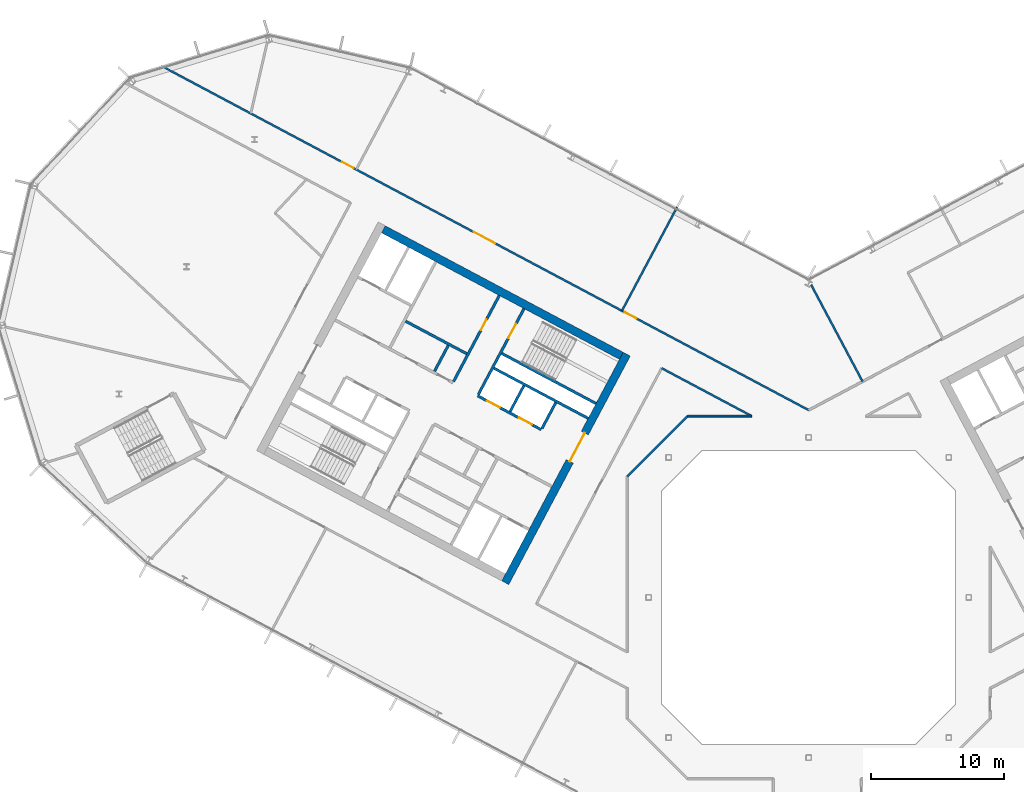
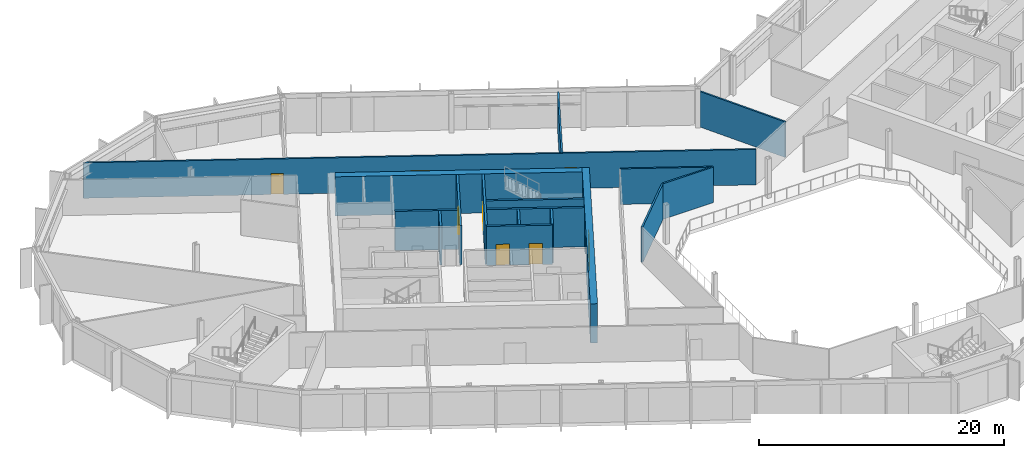
# One storey, part 14 of 26: 17 walls, 8 doors, 8 openings.
"""IFC4 building model written with IfcOpenShell, lengths in metres."""

from ifc_helpers import new_model, si_unit, direction, frame, frame_2d, origin, place, context, subcontext, project, spatial, rectangle, extrude, material, layer, layer_set, type_object, element, fill, save


model = new_model("IFC4")

# Units and contexts
model_context = context("Model", 3, precision=1e-05, world=origin(), true_north=direction((0.0, 1.0)))
body_context = subcontext(model_context, "Body", "Model", "MODEL_VIEW")
ifc_project = project(units=[si_unit("LENGTHUNIT", "METRE"), si_unit("AREAUNIT", "SQUARE_METRE"), si_unit("VOLUMEUNIT", "CUBIC_METRE"), si_unit("PLANEANGLEUNIT", "RADIAN"), si_unit("MASSUNIT", "GRAM", prefix="KILO")], contexts=[model_context])

# Site, building, storey
site_placement = place(None, origin())
site = spatial("IfcSite", under=ifc_project, at=site_placement, CompositionType="ELEMENT")
building_placement = place(site_placement, origin())
building = spatial("IfcBuilding", under=site, at=building_placement, Name="Cormorant Relay Tower", CompositionType="ELEMENT")
storey_placement = place(building_placement, frame((0.0, 0.0, 236.39990234375)))
storey = spatial("IfcBuildingStorey", under=building, at=storey_placement, Name="L52", CompositionType="ELEMENT", Elevation=236.39990234375)

# Walls
ifc_material_1 = material(Name="Concrete 40 MPa", Category="concrete")
ifc_layer_1 = layer(ifc_material_1, 0.199951171875)
ifc_layer_set_1 = layer_set([ifc_layer_1], Name="Core internal wall 200")
wall_type_1 = type_object("IfcWallType", Name="Core internal wall 200", PredefinedType="SOLIDWALL", material=ifc_layer_set_1)
for number, where, z_axis, x_axis, name in (
    (1, (-21.34375, 15.87890625, 0.0), (0.0, 0.0, 1.0), (-0.4694473164, -0.882960484464, 0.0), "L52 core A shaft and room wall"),
    (2, (-27.01220703125, 18.892822265625, 0.0), (0.0, 0.0, 1.0), (-0.4694473164, -0.882960484464, 0.0), "L52 core A shaft and room wall"),
):
    element("IfcWall", number, at=place(storey_placement, frame(where, z_axis=z_axis, x_axis=x_axis)), inside=storey, type_object=wall_type_1, Name=name, PredefinedType="SOLIDWALL", context=body_context, shape_type="SweptSolid", body=[
        extrude(rectangle(XDim=2.199951171875, YDim=0.199951171875, at=frame_2d((1.10009765625, 0.0))), origin(), (0.0, 0.0, 1.0), 3.900146484375),
    ])
ifc_material_2 = material(Name="Concrete 50 MPa", Category="concrete")
ifc_layer_2 = layer(ifc_material_2, 0.199951171875)
ifc_layer_set_2 = layer_set([ifc_layer_2], Name="Core shaft wall 200")
wall_type_2 = type_object("IfcWallType", Name="Core shaft wall 200", PredefinedType="SHEAR", material=ifc_layer_set_2)
wall_1_placement = place(storey_placement, frame((-18.959716796875, 14.611328125, 0.0), z_axis=(0.0, 0.0, 1.0), x_axis=(-0.4694473164, -0.882960484464, 0.0)))
element("IfcWall", 3, at=wall_1_placement, inside=storey, type_object=wall_type_2, Name="L52 core A shaft wall", PredefinedType="SHEAR", context=body_context, shape_type="SweptSolid", body=[
    extrude(rectangle(XDim=2.199951171875, YDim=0.199951171875, at=frame_2d((1.10009765625, 0.0))), origin(), (0.0, 0.0, 1.0), 3.900146484375),
])

# Wall, opening, door
wall_2_placement = place(storey_placement, frame((-21.333251953125, 21.6494140625, 0.0), z_axis=(0.0, 0.0, 1.0), x_axis=(-0.469494272526, -0.882935517501, 0.0)))
wall_2 = element("IfcWall", 4, at=wall_2_placement, inside=storey, type_object=wall_type_2, Name="L52 core A shaft wall", PredefinedType="SHEAR", context=body_context, shape_type="SweptSolid", body=[
    extrude(rectangle(XDim=7.2998046875, YDim=0.199951171875, at=frame_2d((3.64990234375, 0.0))), origin(), (0.0, 0.0, 1.0), 3.900146484375),
])
opening_1_placement = place(wall_2_placement, frame((1.300048828125, 0.0, 0.0)))
opening_1 = element("IfcOpeningElement", 5, at=opening_1_placement, cuts=wall_2, Name="Opening CDB-038", PredefinedType="OPENING", context=body_context, shape_type="SweptSolid", body=[
    extrude(rectangle(XDim=1.199951171875, YDim=2.10009765625, at=frame_2d((0.60009765625, 1.050048828125))), frame((0.0, 0.10986328125, 0.0), z_axis=(0.0, -1.0, 0.0), x_axis=(1.0, 0.0, 0.0)), (0.0, 0.0, 1.0), 0.219970703125),
])
ifc_material_3 = material(Name="Steel fire door", Category="steel")
door_type_1 = type_object("IfcDoorType", Name="Core stair door 1200x2100", OperationType="SINGLE_SWING_LEFT", PredefinedType="DOOR", material=ifc_material_3)
door_1_placement = place(opening_1_placement, origin())
door_1 = element("IfcDoor", 6, at=door_1_placement, inside=storey, type_object=door_type_1, Name="Core stair door 1200x2100", OperationType="SINGLE_SWING_RIGHT", OverallHeight=2.10009765625, OverallWidth=1.199951171875, PredefinedType="DOOR", context=body_context, shape_type="SweptSolid", body=[
    extrude(rectangle(XDim=1.199951171875, YDim=2.10009765625, at=frame_2d((0.60009765625, 1.050048828125))), frame((0.0, 0.02490234375, 0.0), z_axis=(0.0, -1.0, 0.0), x_axis=(1.0, 0.0, 0.0)), (0.0, 0.0, 1.0), 0.050048828125),
])
fill(opening_1, door_1)

wall_3_placement = place(storey_placement, frame((-23.1875, 22.635498046875, 0.0), z_axis=(0.0, 0.0, 1.0), x_axis=(-0.469454336211, -0.882956752176, 0.0)))
wall_3 = element("IfcWall", 7, at=wall_3_placement, inside=storey, type_object=wall_type_2, Name="L52 core A shaft wall", PredefinedType="SHEAR", context=body_context, shape_type="SweptSolid", body=[
    extrude(rectangle(XDim=7.300048828125, YDim=0.199951171875, at=frame_2d((3.64990234375, 0.0))), origin(), (0.0, 0.0, 1.0), 3.900146484375),
])
opening_2_placement = place(wall_3_placement, frame((2.050048828125, 0.0, 0.0)))
opening_2 = element("IfcOpeningElement", 8, at=opening_2_placement, cuts=wall_3, Name="Opening CDD-292", PredefinedType="OPENING", context=body_context, shape_type="SweptSolid", body=[
    extrude(rectangle(XDim=0.89990234375, YDim=2.10009765625, at=frame_2d((0.449951171875, 1.050048828125))), frame((0.0, 0.10986328125, 0.0), z_axis=(0.0, -1.0, 0.0), x_axis=(1.0, 0.0, 0.0)), (0.0, 0.0, 1.0), 0.219970703125),
])
ifc_material_4 = material(Name="Steel fire door", Category="steel")
door_type_2 = type_object("IfcDoorType", Name="Core room door 900x2100", OperationType="SINGLE_SWING_LEFT", PredefinedType="DOOR", material=ifc_material_4)
door_2_placement = place(opening_2_placement, origin())
door_2 = element("IfcDoor", 9, at=door_2_placement, inside=storey, type_object=door_type_2, Name="Core room door 900x2100", OperationType="SINGLE_SWING_LEFT", OverallHeight=2.10009765625, OverallWidth=0.89990234375, PredefinedType="DOOR", context=body_context, shape_type="SweptSolid", body=[
    extrude(rectangle(XDim=0.89990234375, YDim=2.10009765625, at=frame_2d((0.449951171875, 1.050048828125))), frame((0.0, 0.02490234375, 0.0), z_axis=(0.0, -1.0, 0.0), x_axis=(1.0, 0.0, 0.0)), (0.0, 0.0, 1.0), 0.050048828125),
])
fill(opening_2, door_2)

# Walls
wall_4_placement = place(storey_placement, frame((-15.94189453125, 14.53564453125, 0.0), z_axis=(0.0, 0.0, 1.0), x_axis=(-0.882946947542, 0.469472776449, 0.0)))
element("IfcWall", 10, at=wall_4_placement, inside=storey, type_object=wall_type_2, Name="L52 core A shaft wall", PredefinedType="SHEAR", context=body_context, shape_type="SweptSolid", body=[
    extrude(rectangle(XDim=8.000244140625, YDim=0.199951171875, at=frame_2d((4.0, 0.0))), origin(), (0.0, 0.0, 1.0), 3.900146484375),
])
wall_5_placement = place(storey_placement, frame((-16.52880859375, 13.43212890625, 0.0), z_axis=(0.0, 0.0, 1.0), x_axis=(-0.88295287151, 0.469461634952, 0.0)))
element("IfcWall", 11, at=wall_5_placement, inside=storey, type_object=wall_type_2, Name="L52 core A shaft wall", PredefinedType="SHEAR", context=body_context, shape_type="SweptSolid", body=[
    extrude(rectangle(XDim=7.999755859375, YDim=0.199951171875, at=frame_2d((4.0, 0.0))), origin(), (0.0, 0.0, 1.0), 3.900146484375),
])
wall_6_placement = place(storey_placement, frame((-25.623046875, 18.267578125, 0.0), z_axis=(0.0, 0.0, 1.0), x_axis=(-0.882953967957, 0.469459572775, 0.0)))
element("IfcWall", 12, at=wall_6_placement, inside=storey, type_object=wall_type_2, Name="L52 core A shaft wall", PredefinedType="SHEAR", context=body_context, shape_type="SweptSolid", body=[
    extrude(rectangle(XDim=5.199951171875, YDim=0.199951171875, at=frame_2d((2.60009765625, 0.0))), origin(), (0.0, 0.0, 1.0), 3.900146484375),
])

# Wall, openings, doors
wall_7_placement = place(storey_placement, frame((-20.03955078125, 12.58056640625, 0.0), z_axis=(0.0, 0.0, 1.0), x_axis=(-0.882942972946, 0.469480251476, 0.0)))
wall_7 = element("IfcWall", 13, at=wall_7_placement, inside=storey, type_object=wall_type_2, Name="L52 core A shaft wall", PredefinedType="SHEAR", context=body_context, shape_type="SweptSolid", body=[
    extrude(rectangle(XDim=5.39990234375, YDim=0.199951171875, at=frame_2d((2.699951171875, 0.0))), origin(), (0.0, 0.0, 1.0), 3.900146484375),
])
opening_3_placement = place(wall_7_placement, frame((0.800048828125, 0.0, 0.0)))
opening_3 = element("IfcOpeningElement", 14, at=opening_3_placement, cuts=wall_7, Name="Opening LD1-061", PredefinedType="OPENING", context=body_context, shape_type="SweptSolid", body=[
    extrude(rectangle(XDim=1.10009765625, YDim=2.10009765625, at=frame_2d((0.550048828125, 1.050048828125))), frame((0.0, 0.10986328125, 0.0), z_axis=(0.0, -1.0, 0.0), x_axis=(1.0, 0.0, 0.0)), (0.0, 0.0, 1.0), 0.219970703125),
])
opening_4_placement = place(wall_7_placement, frame((3.5, 0.0, 0.0)))
opening_4 = element("IfcOpeningElement", 15, at=opening_4_placement, cuts=wall_7, Name="Opening LD1-062", PredefinedType="OPENING", context=body_context, shape_type="SweptSolid", body=[
    extrude(rectangle(XDim=1.10009765625, YDim=2.10009765625, at=frame_2d((0.550048828125, 1.050048828125))), frame((0.0, 0.10986328125, 0.0), z_axis=(0.0, -1.0, 0.0), x_axis=(1.0, 0.0, 0.0)), (0.0, 0.0, 1.0), 0.219970703125),
])
ifc_material_5 = material(Name="Stainless steel 316", Category="steel")
door_type_3 = type_object("IfcDoorType", Name="Lift landing door 1100x2100", OperationType="DOUBLE_DOOR_SLIDING", PredefinedType="DOOR", material=ifc_material_5)
door_3_placement = place(opening_3_placement, origin())
door_3 = element("IfcDoor", 16, at=door_3_placement, inside=storey, type_object=door_type_3, Name="MR3 landing door", OperationType="DOUBLE_DOOR_SLIDING", OverallHeight=2.10009765625, OverallWidth=1.10009765625, PredefinedType="DOOR", context=body_context, shape_type="SweptSolid", body=[
    extrude(rectangle(XDim=1.10009765625, YDim=2.10009765625, at=frame_2d((0.550048828125, 1.050048828125))), frame((0.0, 0.02490234375, 0.0), z_axis=(0.0, -1.0, 0.0), x_axis=(1.0, 0.0, 0.0)), (0.0, 0.0, 1.0), 0.050048828125),
])
fill(opening_3, door_3)
door_4_placement = place(opening_4_placement, origin())
door_4 = element("IfcDoor", 17, at=door_4_placement, inside=storey, type_object=door_type_3, Name="MR4 landing door", OperationType="DOUBLE_DOOR_SLIDING", OverallHeight=2.10009765625, OverallWidth=1.10009765625, PredefinedType="DOOR", context=body_context, shape_type="SweptSolid", body=[
    extrude(rectangle(XDim=1.10009765625, YDim=2.10009765625, at=frame_2d((0.550048828125, 1.050048828125))), frame((0.0, 0.02490234375, 0.0), z_axis=(0.0, -1.0, 0.0), x_axis=(1.0, 0.0, 0.0)), (0.0, 0.0, 1.0), 0.050048828125),
])
fill(opening_4, door_4)

# Wall, opening, door
ifc_material_6 = material(Name="Concrete 50 MPa", Category="concrete")
ifc_layer_3 = layer(ifc_material_6, 0.60009765625)
ifc_layer_set_3 = layer_set([ifc_layer_3], Name="Core wall 600")
wall_type_3 = type_object("IfcWallType", Name="Core wall 600", PredefinedType="SHEAR", material=ifc_layer_set_3)
wall_8_placement = place(storey_placement, frame((-13.634765625, 18.235595703125, 0.0), z_axis=(0.0, 0.0, 1.0), x_axis=(-0.469478769487, -0.88294376095, 0.0)))
wall_8 = element("IfcWall", 18, at=wall_8_placement, inside=storey, type_object=wall_type_3, Name="L52 core A wall", PredefinedType="SHEAR", context=body_context, shape_type="SweptSolid", body=[
    extrude(rectangle(XDim=19.400146484375, YDim=0.60009765625, at=frame_2d((9.7001953125, 0.0))), origin(), (0.0, 0.0, 1.0), 3.900146484375),
])
opening_5_placement = place(wall_8_placement, frame((6.699951171875, 0.0, 0.0)))
opening_5 = element("IfcOpeningElement", 19, at=opening_5_placement, cuts=wall_8, Name="Opening CDA-040", PredefinedType="OPENING", context=body_context, shape_type="SweptSolid", body=[
    extrude(rectangle(XDim=2.39990234375, YDim=2.39990234375, at=frame_2d((1.199951171875, 1.199951171875))), frame((0.0, 0.31005859375, 0.0), z_axis=(0.0, -1.0, 0.0), x_axis=(1.0, 0.0, 0.0)), (0.0, 0.0, 1.0), 0.6201171875),
])
ifc_material_7 = material(Name="Steel fire door", Category="steel")
door_type_4 = type_object("IfcDoorType", Name="Core lobby door 2400x2400", OperationType="DOUBLE_DOOR_SINGLE_SWING", PredefinedType="DOOR", material=ifc_material_7)
door_5_placement = place(opening_5_placement, frame((2.39990234375, 0.0, 0.0), z_axis=(0.0, 0.0, 1.0), x_axis=(-1.0, 0.0, 0.0)))
door_5 = element("IfcDoor", 20, at=door_5_placement, inside=storey, type_object=door_type_4, Name="Core lobby door 2400x2400", OperationType="DOUBLE_DOOR_SINGLE_SWING", OverallHeight=2.39990234375, OverallWidth=2.39990234375, PredefinedType="DOOR", context=body_context, shape_type="SweptSolid", body=[
    extrude(rectangle(XDim=2.39990234375, YDim=2.39990234375, at=frame_2d((1.199951171875, 1.199951171875))), frame((0.0, 0.02490234375, 0.0), z_axis=(0.0, -1.0, 0.0), x_axis=(1.0, 0.0, 0.0)), (0.0, 0.0, 1.0), 0.050048828125),
])
fill(opening_5, door_5)

# Wall
wall_9_placement = place(storey_placement, frame((-14.04052734375, 18.111572265625, 0.0), z_axis=(0.0, 0.0, 1.0), x_axis=(-0.882947755831, 0.46947125628, 0.0)))
element("IfcWall", 21, at=wall_9_placement, inside=storey, type_object=wall_type_3, Name="L52 core A wall", PredefinedType="SHEAR", context=body_context, shape_type="SweptSolid", body=[
    extrude(rectangle(XDim=20.2001953125, YDim=0.60009765625, at=frame_2d((10.10009765625, 0.0))), origin(), (0.0, 0.0, 1.0), 3.900146484375),
])

# Wall, openings, doors
ifc_material_8 = material(Name="Gypsum board fire partition")
ifc_layer_4 = layer(ifc_material_8, 0.14990234375)
ifc_layer_set_4 = layer_set([ifc_layer_4], Name="Corridor partition 150 EI 60")
wall_type_4 = type_object("IfcWallType", Name="Corridor partition 150 EI 60", PredefinedType="PARTITIONING", material=ifc_layer_set_4)
wall_10_placement = place(storey_placement, frame((-48.541015625, 39.85400390625, 0.0), z_axis=(0.0, 0.0, 1.0), x_axis=(0.882945008423, -0.469476423372, 0.0)))
wall_10 = element("IfcWall", 22, at=wall_10_placement, inside=storey, type_object=wall_type_4, Name="wall/L52/part/010", PredefinedType="PARTITIONING", context=body_context, shape_type="SweptSolid", body=[
    extrude(rectangle(XDim=54.976318359375, YDim=0.14990234375, at=frame_2d((27.48828125, 0.0))), origin(), (0.0, 0.0, 1.0), 3.5400390625),
])
opening_6_placement = place(wall_10_placement, frame((39.35009765625, 0.0, 0.0)))
opening_6 = element("IfcOpeningElement", 23, at=opening_6_placement, cuts=wall_10, Name="Opening DS-134", PredefinedType="OPENING", context=body_context, shape_type="SweptSolid", body=[
    extrude(rectangle(XDim=1.0, YDim=2.10009765625, at=frame_2d((0.5, 1.050048828125))), frame((0.0, 0.0849609375, 0.0), z_axis=(0.0, -1.0, 0.0), x_axis=(1.0, 0.0, 0.0)), (0.0, 0.0, 1.0), 0.169921875),
])
opening_7_placement = place(wall_10_placement, frame((26.550048828125, 0.0, 0.0)))
opening_7 = element("IfcOpeningElement", 24, at=opening_7_placement, cuts=wall_10, Name="Opening DD-024", PredefinedType="OPENING", context=body_context, shape_type="SweptSolid", body=[
    extrude(rectangle(XDim=1.800048828125, YDim=2.10009765625, at=frame_2d((0.89990234375, 1.050048828125))), frame((0.0, 0.0849609375, 0.0), z_axis=(0.0, -1.0, 0.0), x_axis=(1.0, 0.0, 0.0)), (0.0, 0.0, 1.0), 0.169921875),
])
opening_8_placement = place(wall_10_placement, frame((15.35009765625, 0.0, 0.0)))
opening_8 = element("IfcOpeningElement", 25, at=opening_8_placement, cuts=wall_10, Name="Opening DS-120", PredefinedType="OPENING", context=body_context, shape_type="SweptSolid", body=[
    extrude(rectangle(XDim=1.0, YDim=2.10009765625, at=frame_2d((0.5, 1.050048828125))), frame((0.0, 0.0849609375, 0.0), z_axis=(0.0, -1.0, 0.0), x_axis=(1.0, 0.0, 0.0)), (0.0, 0.0, 1.0), 0.169921875),
])
ifc_material_9 = material(Name="Timber door leaf", Category="wood")
door_type_5 = type_object("IfcDoorType", Name="Suite door 1000x2100", OperationType="SINGLE_SWING_LEFT", PredefinedType="DOOR", material=ifc_material_9)
door_6_placement = place(opening_6_placement, origin())
door_6 = element("IfcDoor", 26, at=door_6_placement, inside=storey, type_object=door_type_5, Name="door/L52/015", OperationType="SINGLE_SWING_LEFT", OverallHeight=2.10009765625, OverallWidth=1.0, PredefinedType="DOOR", context=body_context, shape_type="SweptSolid", body=[
    extrude(rectangle(XDim=1.0, YDim=2.10009765625, at=frame_2d((0.5, 1.050048828125))), frame((0.0, 0.02490234375, 0.0), z_axis=(0.0, -1.0, 0.0), x_axis=(1.0, 0.0, 0.0)), (0.0, 0.0, 1.0), 0.050048828125),
])
fill(opening_6, door_6)
door_7_placement = place(opening_8_placement, origin())
door_7 = element("IfcDoor", 27, at=door_7_placement, inside=storey, type_object=door_type_5, Name="door/L52/017", OperationType="SINGLE_SWING_RIGHT", OverallHeight=2.10009765625, OverallWidth=1.0, PredefinedType="DOOR", context=body_context, shape_type="SweptSolid", body=[
    extrude(rectangle(XDim=1.0, YDim=2.10009765625, at=frame_2d((0.5, 1.050048828125))), frame((0.0, 0.02490234375, 0.0), z_axis=(0.0, -1.0, 0.0), x_axis=(1.0, 0.0, 0.0)), (0.0, 0.0, 1.0), 0.050048828125),
])
fill(opening_8, door_7)
ifc_material_10 = material(Name="Timber door leaf", Category="wood")
door_type_6 = type_object("IfcDoorType", Name="Suite double door 1800x2100", OperationType="DOUBLE_DOOR_SINGLE_SWING", PredefinedType="DOOR", material=ifc_material_10)
door_8_placement = place(opening_7_placement, origin())
door_8 = element("IfcDoor", 28, at=door_8_placement, inside=storey, type_object=door_type_6, Name="door/L52/016", OperationType="DOUBLE_DOOR_SINGLE_SWING", OverallHeight=2.10009765625, OverallWidth=1.800048828125, PredefinedType="DOOR", context=body_context, shape_type="SweptSolid", body=[
    extrude(rectangle(XDim=1.800048828125, YDim=2.10009765625, at=frame_2d((0.89990234375, 1.050048828125))), frame((0.0, 0.02490234375, 0.0), z_axis=(0.0, -1.0, 0.0), x_axis=(1.0, 0.0, 0.0)), (0.0, 0.0, 1.0), 0.050048828125),
])
fill(opening_7, door_8)

# Walls
wall_11_placement = place(storey_placement, frame((-11.02197265625, 17.18603515625, 0.0), z_axis=(0.0, 0.0, 1.0), x_axis=(0.882967947403, -0.469433279453, 0.0)))
element("IfcWall", 29, at=wall_11_placement, inside=storey, type_object=wall_type_4, Name="wall/L52/part/046", PredefinedType="PARTITIONING", context=body_context, shape_type="SweptSolid", body=[
    extrude(rectangle(XDim=7.638916015625, YDim=0.14990234375, at=frame_2d((3.8193359375, 0.0))), origin(), (0.0, 0.0, 1.0), 3.5400390625),
])
wall_12_placement = place(storey_placement, frame((-4.277099609375, 13.60009765625, 0.0), z_axis=(0.0, 0.0, 1.0), x_axis=(-1.0, 0.0, 0.0)))
element("IfcWall", 30, at=wall_12_placement, inside=storey, type_object=wall_type_4, Name="wall/L52/part/047", PredefinedType="PARTITIONING", context=body_context, shape_type="SweptSolid", body=[
    extrude(rectangle(XDim=4.7998046875, YDim=0.14990234375, at=frame_2d((2.39990234375, 0.0))), origin(), (0.0, 0.0, 1.0), 3.5400390625),
])
wall_13_placement = place(storey_placement, frame((-9.076904296875, 13.60009765625, 0.0), z_axis=(0.0, 0.0, 1.0), x_axis=(-0.707106781187, -0.707106781187, 0.0)))
element("IfcWall", 31, at=wall_13_placement, inside=storey, type_object=wall_type_4, Name="wall/L52/part/048", PredefinedType="PARTITIONING", context=body_context, shape_type="SweptSolid", body=[
    extrude(rectangle(XDim=6.396728515625, YDim=0.14990234375, at=frame_2d((3.1982421875, 0.0))), origin(), (0.0, 0.0, 1.0), 3.5400390625),
])
ifc_material_11 = material(Name="Gypsum board partition")
ifc_layer_5 = layer(ifc_material_11, 0.14990234375)
ifc_layer_set_5 = layer_set([ifc_layer_5], Name="Tenant partition 150")
wall_type_5 = type_object("IfcWallType", Name="Tenant partition 150", PredefinedType="PARTITIONING", material=ifc_layer_set_5)
wall_14_placement = place(storey_placement, frame((-9.864013671875, 29.2548828125, 0.0), z_axis=(0.0, 0.0, 1.0), x_axis=(-0.469457446168, -0.882955098653, 0.0)))
element("IfcWall", 32, at=wall_14_placement, inside=storey, type_object=wall_type_5, Name="wall/L52/part/018", PredefinedType="PARTITIONING", context=body_context, shape_type="SweptSolid", body=[
    extrude(rectangle(XDim=8.7998046875, YDim=0.14990234375, at=frame_2d((4.39990234375, 0.0))), origin(), (0.0, 0.0, 1.0), 3.5400390625),
])
wall_15_placement = place(storey_placement, frame((0.18310546875, 23.43994140625, 0.0), z_axis=(0.0, 0.0, 1.0), x_axis=(0.469529135479, -0.882916978507, 0.0)))
element("IfcWall", 33, at=wall_15_placement, inside=storey, type_object=wall_type_5, Name="wall/L52/part/022", PredefinedType="PARTITIONING", context=body_context, shape_type="SweptSolid", body=[
    extrude(rectangle(XDim=8.210205078125, YDim=0.14990234375, at=frame_2d((4.10498046875, 0.0))), origin(), (0.0, 0.0, 1.0), 3.5400390625),
])

save(model, "model.ifc")
